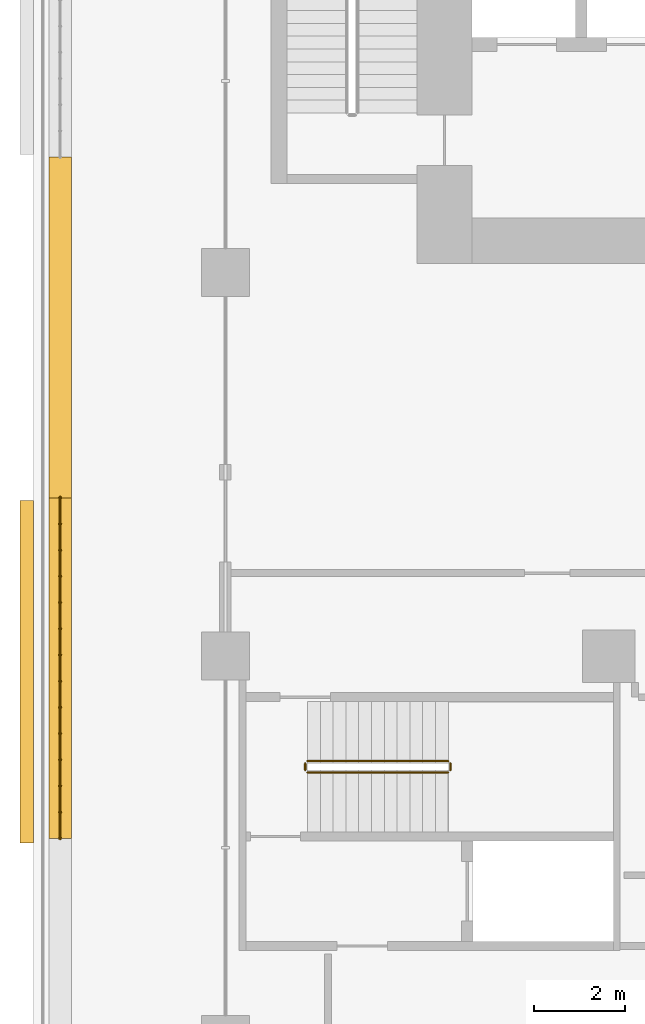
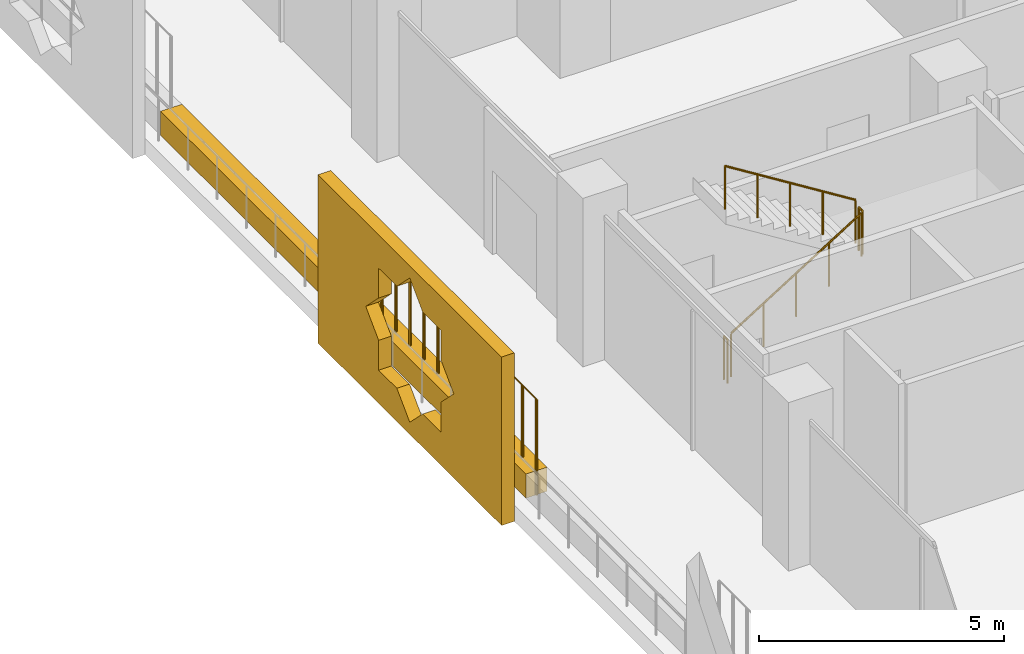
# One storey, part 22 of 29: 5 railings, 3 coverings.
"""IFC4 building model written with IfcOpenShell, lengths in metres."""

from ifc_helpers import new_model, si_unit, direction, frame, origin, origin_2d, place, context, subcontext, project, spatial, polyline, rectangle, circle, outline, extrude, material, material_profile, profile_set, type_object, element, save


model = new_model("IFC4")

# Units and contexts
model_context = context("Model", 3, precision=1e-05, world=origin(), true_north=direction((0.0, 1.0)))
body_context = subcontext(model_context, "Body", "Model", "MODEL_VIEW")
ifc_project = project(units=[si_unit("LENGTHUNIT", "METRE"), si_unit("AREAUNIT", "SQUARE_METRE"), si_unit("VOLUMEUNIT", "CUBIC_METRE"), si_unit("PLANEANGLEUNIT", "RADIAN"), si_unit("MASSUNIT", "GRAM", prefix="KILO")], contexts=[model_context])

# Site, building, storey
site_placement = place(None, origin())
site = spatial("IfcSite", under=ifc_project, at=site_placement, CompositionType="ELEMENT")
building_placement = place(site_placement, origin())
building = spatial("IfcBuilding", under=site, at=building_placement, Name="Kawkab Arch Medical Tower", CompositionType="ELEMENT")
storey_placement = place(building_placement, frame((0.0, 0.0, 107.199951171875)))
storey = spatial("IfcBuildingStorey", under=building, at=storey_placement, Name="L24", CompositionType="ELEMENT", Elevation=107.199951171875)

# Coverings
ifc_material_1 = material(Name="Bronze anodised aluminium mashrabiya panel, eight-point star pattern", Category="aluminium")
ifc_material_profile_1 = material_profile(ifc_material_1, outline(polyline([(-3.75, -2.10009765625), (3.75, -2.10009765625), (3.75, 2.10009765625), (-3.75, 2.10009765625), (-3.75, -2.10009765625)]), holes=[polyline([(1.800048828125, 0.0), (1.272705078125, 0.527099609375), (1.272705078125, 1.272705078125), (0.527099609375, 1.272705078125), (0.0, 1.800048828125), (-0.527099609375, 1.272705078125), (-1.272705078125, 1.272705078125), (-1.272705078125, 0.527099609375), (-1.800048828125, 0.0), (-1.272705078125, -0.527099609375), (-1.272705078125, -1.272705078125), (-0.527099609375, -1.272705078125), (0.0, -1.800048828125), (0.527099609375, -1.272705078125), (1.272705078125, -1.272705078125), (1.272705078125, -0.527099609375), (1.800048828125, 0.0)])]), Name="Mashrabiya panel 7500x4200")
ifc_profile_set_1 = profile_set([ifc_material_profile_1], Name="Bronze anodised aluminium mashrabiya panel, eight-point star pattern")
covering_type_1 = type_object("IfcCoveringType", Name="Mashrabiya panel 7500 x 4200", PredefinedType="USERDEFINED", material=ifc_profile_set_1)
covering_1_placement = place(storey_placement, frame((-4.199951171875, -33.94140625, 1.699951171875), z_axis=(-1.0, 0.0, 0.0), x_axis=(0.0, -1.0, 0.0)))
element("IfcCovering", 1, at=covering_1_placement, inside=storey, type_object=covering_type_1, Name="Mashrabiya panel L24.LOG-01-02.3", ObjectType="SCREEN", PredefinedType="USERDEFINED", context=body_context, shape_type="SweptSolid", body=[
    extrude(outline(polyline([(-3.75, -2.10009765625), (3.75, -2.10009765625), (3.75, 2.10009765625), (-3.75, 2.10009765625), (-3.75, -2.10009765625)]), holes=[polyline([(1.800048828125, 0.0), (1.272705078125, 0.527099609375), (1.272705078125, 1.272705078125), (0.527099609375, 1.272705078125), (0.0, 1.800048828125), (-0.527099609375, 1.272705078125), (-1.272705078125, 1.272705078125), (-1.272705078125, 0.527099609375), (-1.800048828125, 0.0), (-1.272705078125, -0.527099609375), (-1.272705078125, -1.272705078125), (-0.527099609375, -1.272705078125), (0.0, -1.800048828125), (0.527099609375, -1.272705078125), (1.272705078125, -1.272705078125), (1.272705078125, -0.527099609375), (1.800048828125, 0.0)])]), origin(), (0.0, 0.0, 1.0), 0.300048828125),
])
ifc_material_2 = material(Name="Planting soil in a precast trough", Category="concrete")
ifc_material_profile_2 = material_profile(ifc_material_2, rectangle(XDim=0.5, YDim=0.60009765625, at=origin_2d()), Name="Trough 500x600")
ifc_profile_set_2 = profile_set([ifc_material_profile_2], Name="Planting soil in a precast trough")
covering_type_2 = type_object("IfcCoveringType", Name="Planter trough 500 x 600", PredefinedType="USERDEFINED", material=ifc_profile_set_2)
covering_2_placement = place(storey_placement, frame((-3.6201171875, -37.593017578125, 0.300048828125), z_axis=(0.0, 1.0, 0.0), x_axis=(-1.0, 0.0, 0.0)))
element("IfcCovering", 2, at=covering_2_placement, inside=storey, type_object=covering_type_2, Name="Planter L24.LOG-01-02.9", ObjectType="PLANTER", PredefinedType="USERDEFINED", context=body_context, shape_type="SweptSolid", body=[
    extrude(rectangle(XDim=0.5, YDim=0.60009765625, at=origin_2d()), origin(), (0.0, 0.0, 1.0), 7.4619140625),
])
covering_3_placement = place(storey_placement, frame((-3.6201171875, -30.131103515625, 0.300048828125), z_axis=(0.0, 1.0, 0.0), x_axis=(-1.0, 0.0, 0.0)))
element("IfcCovering", 3, at=covering_3_placement, inside=storey, type_object=covering_type_2, Name="Planter L24.LOG-01-02.10", ObjectType="PLANTER", PredefinedType="USERDEFINED", context=body_context, shape_type="SweptSolid", body=[
    extrude(rectangle(XDim=0.5, YDim=0.60009765625, at=origin_2d()), origin(), (0.0, 0.0, 1.0), 7.462158203125),
])

# Railings
ifc_material_3 = material(Name="Bronze anodised aluminium trellis for climbing plants", Category="aluminium")
railing_type_1 = type_object("IfcRailingType", Name="Planting trellis 2400", PredefinedType="USERDEFINED", material=ifc_material_3)
railing_1_placement = place(storey_placement, frame((-3.6201171875, -37.593017578125, 0.0)))
element("IfcRailing", 4, at=railing_1_placement, inside=storey, type_object=railing_type_1, Name="Planting trellis L24.LOG-01-02.9", ObjectType="TRELLIS", PredefinedType="USERDEFINED", context=body_context, shape_type="SweptSolid", body=[
    extrude(circle(Radius=0.01513671875, at=origin_2d()), frame((0.0, 0.0, 2.384765625), z_axis=(0.0, 1.0, 0.0), x_axis=(-1.0, 0.0, 0.0)), (0.0, 0.0, 1.0), 7.4619140625),
    extrude(circle(Radius=0.030029296875, at=origin_2d()), origin(), (0.0, 0.0, 1.0), 2.369873046875),
    extrude(circle(Radius=0.030029296875, at=origin_2d()), frame((0.0, 0.573974609375, 0.0)), (0.0, 0.0, 1.0), 2.369873046875),
    extrude(circle(Radius=0.030029296875, at=origin_2d()), frame((0.0, 1.14794921875, 0.0)), (0.0, 0.0, 1.0), 2.369873046875),
    extrude(circle(Radius=0.030029296875, at=origin_2d()), frame((0.0, 1.721923828125, 0.0)), (0.0, 0.0, 1.0), 2.369873046875),
    extrude(circle(Radius=0.030029296875, at=origin_2d()), frame((0.0, 2.2958984375, 0.0)), (0.0, 0.0, 1.0), 2.369873046875),
    extrude(circle(Radius=0.030029296875, at=origin_2d()), frame((0.0, 2.869873046875, 0.0)), (0.0, 0.0, 1.0), 2.369873046875),
    extrude(circle(Radius=0.030029296875, at=origin_2d()), frame((0.0, 3.44384765625, 0.0)), (0.0, 0.0, 1.0), 2.369873046875),
    extrude(circle(Radius=0.030029296875, at=origin_2d()), frame((0.0, 4.01806640625, 0.0)), (0.0, 0.0, 1.0), 2.369873046875),
    extrude(circle(Radius=0.030029296875, at=origin_2d()), frame((0.0, 4.592041015625, 0.0)), (0.0, 0.0, 1.0), 2.369873046875),
    extrude(circle(Radius=0.030029296875, at=origin_2d()), frame((0.0, 5.166015625, 0.0)), (0.0, 0.0, 1.0), 2.369873046875),
    extrude(circle(Radius=0.030029296875, at=origin_2d()), frame((0.0, 5.739990234375, 0.0)), (0.0, 0.0, 1.0), 2.369873046875),
    extrude(circle(Radius=0.030029296875, at=origin_2d()), frame((0.0, 6.31396484375, 0.0)), (0.0, 0.0, 1.0), 2.369873046875),
    extrude(circle(Radius=0.030029296875, at=origin_2d()), frame((0.0, 6.887939453125, 0.0)), (0.0, 0.0, 1.0), 2.369873046875),
    extrude(circle(Radius=0.030029296875, at=origin_2d()), frame((0.0, 7.4619140625, 0.0)), (0.0, 0.0, 1.0), 2.369873046875),
])
ifc_material_4 = material(Name="Stainless steel", Category="steel")
railing_type_2 = type_object("IfcRailingType", Name="Stair guard 1100", PredefinedType="GUARDRAIL", material=ifc_material_4)
railing_2_placement = place(storey_placement, frame((1.800048828125, -36.14990234375, 0.175048828125)))
element("IfcRailing", 5, at=railing_2_placement, inside=storey, type_object=railing_type_2, Name="L24 ST6 stair guard 1", PredefinedType="GUARDRAIL", context=body_context, shape_type="SweptSolid", body=[
    extrude(circle(Radius=0.02392578125, at=origin_2d()), frame((0.0, 0.0, 1.076171875), z_axis=(0.847979421464, 0.0, 0.530029150871), x_axis=(0.0, 1.0, 0.0)), (0.0, 0.0, 1.0), 3.632080078125),
    extrude(circle(Radius=0.02099609375, at=origin_2d()), origin(), (0.0, 0.0, 1.0), 1.052001953125),
    extrude(circle(Radius=0.02099609375, at=origin_2d()), frame((0.77001953125, 0.0, 0.481201171875)), (0.0, 0.0, 1.0), 1.052001953125),
    extrude(circle(Radius=0.02099609375, at=origin_2d()), frame((1.5400390625, 0.0, 0.96240234375)), (0.0, 0.0, 1.0), 1.052001953125),
    extrude(circle(Radius=0.02099609375, at=origin_2d()), frame((2.309814453125, 0.0, 1.44384765625)), (0.0, 0.0, 1.0), 1.052001953125),
    extrude(circle(Radius=0.02099609375, at=origin_2d()), frame((3.079833984375, 0.0, 1.925048828125)), (0.0, 0.0, 1.0), 1.052001953125),
])
railing_3_placement = place(storey_placement, frame((4.929931640625, -36.10009765625, 2.10009765625)))
element("IfcRailing", 6, at=railing_3_placement, inside=storey, type_object=railing_type_2, Name="L24 ST6 stair guard 2", PredefinedType="GUARDRAIL", context=body_context, shape_type="SweptSolid", body=[
    extrude(circle(Radius=0.02392578125, at=origin_2d()), frame((0.0, 0.0, 1.076171875), z_axis=(0.0, 1.0, 0.0), x_axis=(-1.0, 0.0, 0.0)), (0.0, 0.0, 1.0), 0.150146484375),
    extrude(circle(Radius=0.02099609375, at=origin_2d()), origin(), (0.0, 0.0, 1.0), 1.052001953125),
    extrude(circle(Radius=0.02099609375, at=origin_2d()), frame((0.0, 0.150146484375, 0.0)), (0.0, 0.0, 1.0), 1.052001953125),
])
railing_4_placement = place(storey_placement, frame((4.8798828125, -35.89990234375, 2.275146484375)))
element("IfcRailing", 7, at=railing_4_placement, inside=storey, type_object=railing_type_2, Name="L24 ST6 stair guard 3", PredefinedType="GUARDRAIL", context=body_context, shape_type="SweptSolid", body=[
    extrude(circle(Radius=0.02392578125, at=origin_2d()), frame((0.0, 0.0, 1.076171875), z_axis=(-0.848009633417, 0.0, 0.529980812513), x_axis=(0.0, -1.0, 0.0)), (0.0, 0.0, 1.0), 3.6318359375),
    extrude(circle(Radius=0.02099609375, at=origin_2d()), origin(), (0.0, 0.0, 1.0), 1.052001953125),
    extrude(circle(Radius=0.02099609375, at=origin_2d()), frame((-0.77001953125, 0.0, 0.481201171875)), (0.0, 0.0, 1.0), 1.052001953125),
    extrude(circle(Radius=0.02099609375, at=origin_2d()), frame((-1.5400390625, 0.0, 0.96240234375)), (0.0, 0.0, 1.0), 1.052001953125),
    extrude(circle(Radius=0.02099609375, at=origin_2d()), frame((-2.309814453125, 0.0, 1.443603515625)), (0.0, 0.0, 1.0), 1.052001953125),
    extrude(circle(Radius=0.02099609375, at=origin_2d()), frame((-3.079833984375, 0.0, 1.9248046875)), (0.0, 0.0, 1.0), 1.052001953125),
])
railing_5_placement = place(storey_placement, frame((1.75, -36.10009765625, 0.0)))
element("IfcRailing", 8, at=railing_5_placement, inside=storey, type_object=railing_type_2, Name="L24 ST6 stair guard 4", PredefinedType="GUARDRAIL", context=body_context, shape_type="SweptSolid", body=[
    extrude(circle(Radius=0.02392578125, at=origin_2d()), frame((0.0, 0.0, 1.076171875), z_axis=(0.0, 1.0, 0.0), x_axis=(-1.0, 0.0, 0.0)), (0.0, 0.0, 1.0), 0.150146484375),
    extrude(circle(Radius=0.02099609375, at=origin_2d()), origin(), (0.0, 0.0, 1.0), 1.052001953125),
    extrude(circle(Radius=0.02099609375, at=origin_2d()), frame((0.0, 0.150146484375, 0.0)), (0.0, 0.0, 1.0), 1.052001953125),
])

save(model, "model.ifc")
